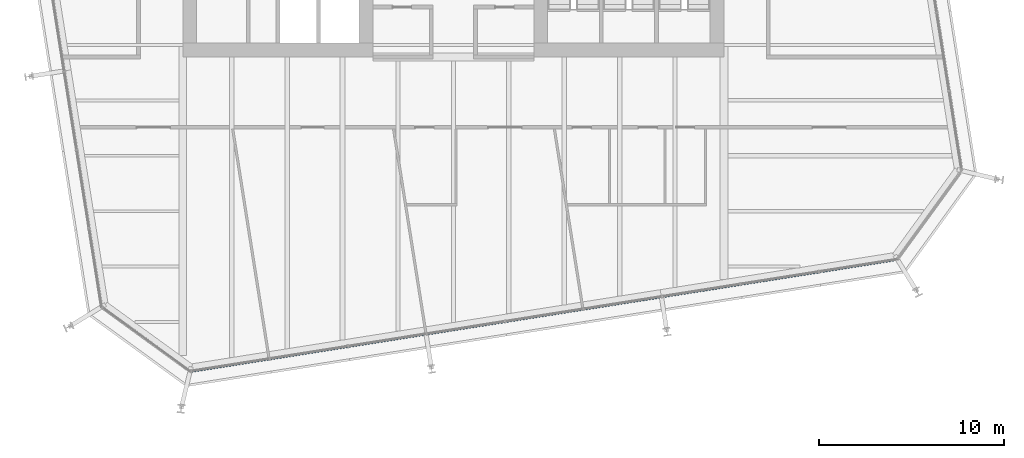
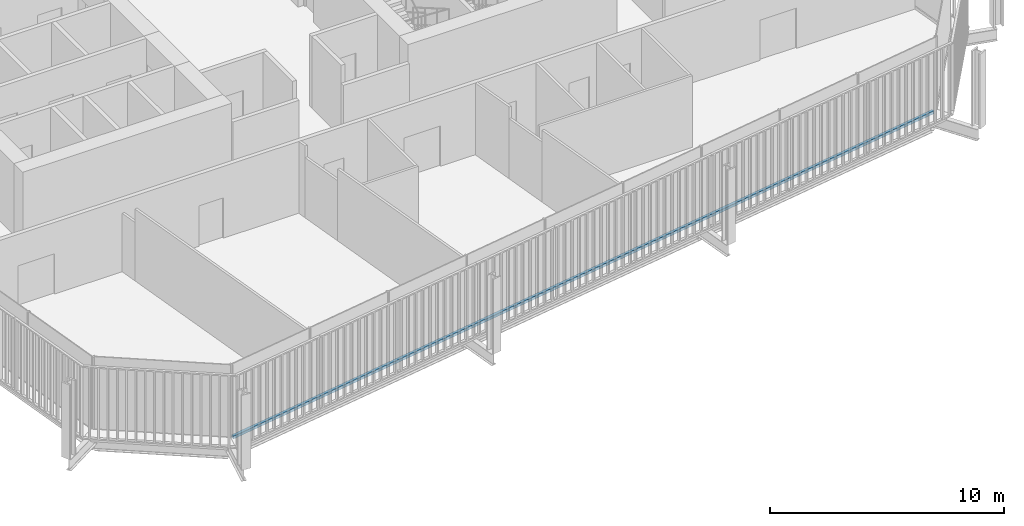
# One storey, part 7 of 21: 1 member, 1 element without a shape of its own.
"""IFC4 building model written with IfcOpenShell, lengths in metres."""

from ifc_helpers import new_model, si_unit, direction, frame, origin, origin_2d, place, context, subcontext, project, spatial, rectangle, extrude, material, layer, layer_set, material_profile, profile_set, type_object, element, aggregate, save


model = new_model("IFC4")

# Units and contexts
model_context = context("Model", 3, precision=1e-05, world=origin(), true_north=direction((0.0, 1.0)))
body_context = subcontext(model_context, "Body", "Model", "MODEL_VIEW")
ifc_project = project(units=[si_unit("LENGTHUNIT", "METRE"), si_unit("AREAUNIT", "SQUARE_METRE"), si_unit("VOLUMEUNIT", "CUBIC_METRE"), si_unit("PLANEANGLEUNIT", "RADIAN"), si_unit("MASSUNIT", "GRAM", prefix="KILO")], contexts=[model_context])

# Site, building, storey
site_placement = place(None, origin())
site = spatial("IfcSite", under=ifc_project, at=site_placement, CompositionType="ELEMENT")
building_placement = place(site_placement, origin())
building = spatial("IfcBuilding", under=site, at=building_placement, Name="Millrace Tower", CompositionType="ELEMENT")
storey_placement = place(building_placement, frame((0.0, 0.0, 141.199951171875)))
storey = spatial("IfcBuildingStorey", under=building, at=storey_placement, Name="L31", CompositionType="ELEMENT", Elevation=141.199951171875)

# Curtain wall, member
ifc_material_1 = material(Name="Aluminium and glass", Category="aluminium")
ifc_layer = layer(ifc_material_1, 0.14990234375)
ifc_layer_set = layer_set([ifc_layer], Name="Aluminium and glass")
curtain_wall_type = type_object("IfcCurtainWallType", Name="CW-1 office vision curtain wall", PredefinedType="NOTDEFINED", material=ifc_layer_set)
curtain_wall_placement = place(storey_placement, origin())
curtain_wall = element("IfcCurtainWall", 1, at=curtain_wall_placement, inside=storey, type_object=curtain_wall_type, Name="Curtain wall C-F02 L31", PredefinedType="NOTDEFINED")
ifc_material_2 = material(Name="Aluminium", Category="aluminium")
ifc_material_profile = material_profile(ifc_material_2, rectangle(XDim=0.14990234375, YDim=0.139892578125, at=origin_2d()))
ifc_profile_set = profile_set([ifc_material_profile], Name="Aluminium")
member_type = type_object("IfcMemberType", Name="CW-1 office vision curtain wall transom", PredefinedType="USERDEFINED", material=ifc_profile_set)
member_placement = place(storey_placement, frame((-14.125, -26.64599609375, 0.070068359375), z_axis=(0.987688350509, 0.156434402447, 0.0), x_axis=(-0.156434402447, 0.987688350509, 0.0)))
member = element("IfcMember", 2, at=member_placement, type_object=member_type, Name="CW1 transom C-F02.1", ObjectType="TRANSOM", PredefinedType="USERDEFINED", context=body_context, shape_type="SweptSolid", body=[
    extrude(rectangle(XDim=0.14990234375, YDim=0.139892578125, at=origin_2d()), origin(), (0.0, 0.0, 1.0), 38.499755859375),
])
aggregate(curtain_wall, [member])

save(model, "model.ifc")
